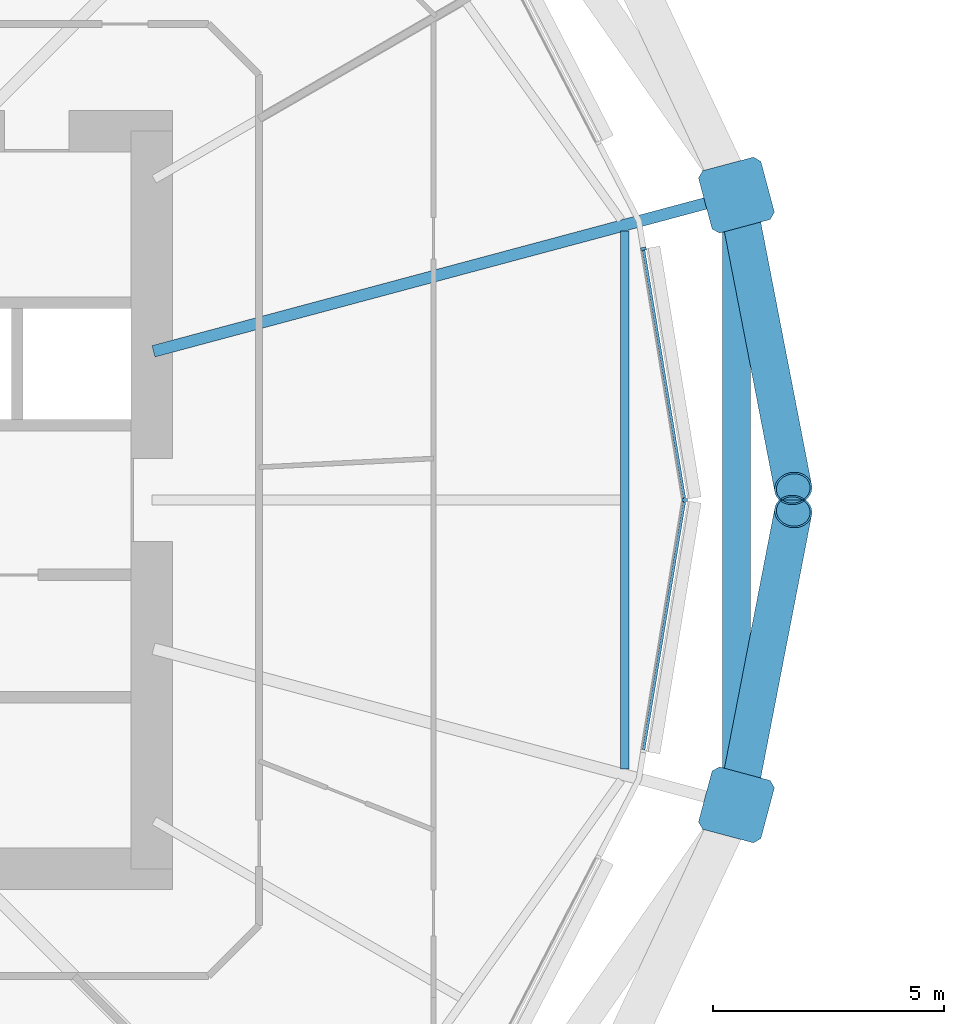
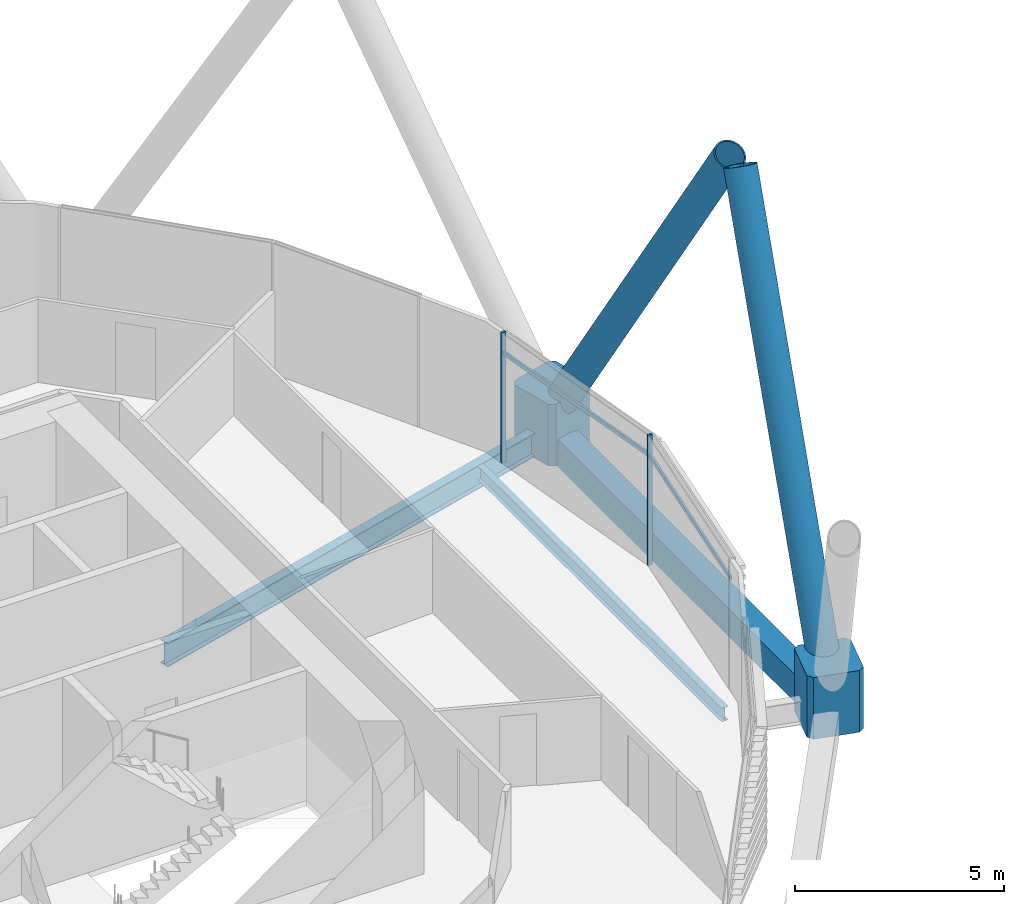
# One storey, part 7 of 36: 8 members, 3 beams, 1 element without a shape of its own.
"""IFC4 building model written with IfcOpenShell, lengths in metres."""

import ifcopenshell
import ifcopenshell.guid

model = None  # the IFC model being written
_history = None  # IfcOwnerHistory: only IFC2X3 demands one
_inside = {}  # id of a spatial element -> (the spatial element, [elements in it])
_under = {}  # id of a project, library or spatial element -> (it, [spatial elements below it])
_declared = {}  # id of a project -> (the project, [libraries it declares])
_typed = {}  # id of a type object -> (the type object, [elements of that type])
_made_of = {}  # id of a material, layer set ... -> (it, [elements and type objects made of it])


def new_model(schema):
    """Start an empty IFC model of exactly this schema.

    Asked for "IFC4X3", IfcOpenShell would pick the latest addendum, in which some entities
    have other attributes; the version numbers below select the first issue.
    IFC2X3 requires an IfcOwnerHistory on every rooted entity: one is made here for all.
    """
    global model, _history
    if schema == "IFC4X3":
        model = ifcopenshell.file(schema_version=(4, 3, 0, 0))
    else:
        model = ifcopenshell.file(schema=schema)
    _inside.clear()
    _under.clear()
    _declared.clear()
    _typed.clear()
    _made_of.clear()
    _history = None
    if model.schema == "IFC2X3":
        org = make("IfcOrganization", Name="unknown")
        user = make(
            "IfcPersonAndOrganization",
            ThePerson=make("IfcPerson", FamilyName="unknown"),
            TheOrganization=org,
        )
        app = make(
            "IfcApplication",
            ApplicationDeveloper=org,
            Version="unknown",
            ApplicationFullName="unknown",
            ApplicationIdentifier="unknown",
        )
        _history = make(
            "IfcOwnerHistory",
            OwningUser=user,
            OwningApplication=app,
            ChangeAction="ADDED",
            CreationDate=0,
        )
    return model


def make(cls, **values):
    """One entity of the class cls with the attributes given. An attribute that is None is left unset."""
    return model.create_entity(
        cls, **{name: value for name, value in values.items() if value is not None}
    )


def rooted(cls, **values):
    """An entity with a GlobalId (a new one), such as an element, a storey or a relation."""
    return make(cls, GlobalId=ifcopenshell.guid.new(), OwnerHistory=_history, **values)


def si_unit(unit_type, name, prefix=None):
    """IfcSIUnit, for example si_unit("LENGTHUNIT", "METRE", prefix="MILLI")."""
    return make("IfcSIUnit", UnitType=unit_type, Prefix=prefix, Name=name)


def assignment(units):
    """IfcUnitAssignment: the units of a project."""
    return None if units is None else make("IfcUnitAssignment", Units=units)


def point(xyz):
    """IfcCartesianPoint."""
    return None if xyz is None else make("IfcCartesianPoint", Coordinates=xyz)


def direction(xyz):
    """IfcDirection."""
    return None if xyz is None else make("IfcDirection", DirectionRatios=xyz)


def frame(location, z_axis=None, x_axis=None):
    """IfcAxis2Placement3D, a coordinate frame: its origin and axes. An axis left out is left unset."""
    return make(
        "IfcAxis2Placement3D",
        Location=point(location),
        Axis=direction(z_axis),
        RefDirection=direction(x_axis),
    )


def frame_2d(location, x_axis=None):
    """IfcAxis2Placement2D, a coordinate frame in the plane: its origin and x axis."""
    return make(
        "IfcAxis2Placement2D", Location=point(location), RefDirection=direction(x_axis)
    )


def origin():
    """The frame at (0, 0, 0) with its axes left unset."""
    return frame((0.0, 0.0, 0.0))


def origin_2d():
    """The frame at (0, 0) in the plane with its x axis left unset."""
    return frame_2d((0.0, 0.0))


def place(relative_to, where):
    """IfcLocalPlacement: puts the frame where relative to a parent placement (None: the world)."""
    return make(
        "IfcLocalPlacement", PlacementRelTo=relative_to, RelativePlacement=where
    )


def context(
    kind, dimensions, precision=None, world=None, true_north=None, identifier=None
):
    """IfcGeometricRepresentationContext, for example the 3D "Model" context."""
    return make(
        "IfcGeometricRepresentationContext",
        ContextIdentifier=identifier,
        ContextType=kind,
        CoordinateSpaceDimension=dimensions,
        Precision=precision,
        WorldCoordinateSystem=world,
        TrueNorth=true_north,
    )


def subcontext(parent, identifier, kind, view, scale=None):
    """IfcGeometricRepresentationSubContext, for example "Body" below "Model"."""
    return make(
        "IfcGeometricRepresentationSubContext",
        ContextIdentifier=identifier,
        ContextType=kind,
        ParentContext=parent,
        TargetScale=scale,
        TargetView=view,
    )


def project(units=None, contexts=None):
    """IfcProject with its units and contexts."""
    return rooted(
        "IfcProject",
        Name="project",
        RepresentationContexts=contexts,
        UnitsInContext=assignment(units),
    )


def spatial(cls, under=None, at=None, **own):
    """A site, building, storey or space (cls), placed at a placement, below another one or the project."""
    s = rooted(cls, ObjectPlacement=at, **own)
    if under is not None:
        _under.setdefault(under.id(), (under, []))[1].append(s)
    return s


def polyline(points):
    """IfcPolyline through the points."""
    return make("IfcPolyline", Points=[point(p) for p in points])


def profile(cls, at=None, kind="AREA", **sizes):
    """A parametric profile (cls). Its sizes go by their IFC names, for example OverallWidth=200.0."""
    return make(cls, ProfileType=kind, Position=at, **sizes)


def rectangle(**sizes):
    """IfcRectangleProfileDef."""
    return profile("IfcRectangleProfileDef", **sizes)


def hollow_rectangle(**sizes):
    """IfcRectangleHollowProfileDef."""
    return profile("IfcRectangleHollowProfileDef", **sizes)


def hollow_circle(**sizes):
    """IfcCircleHollowProfileDef."""
    return profile("IfcCircleHollowProfileDef", **sizes)


def i_section(**sizes):
    """IfcIShapeProfileDef."""
    return profile("IfcIShapeProfileDef", **sizes)


def outline(outer, holes=None, kind="AREA"):
    """IfcArbitraryClosedProfileDef: a profile drawn as a closed curve; with holes, ...WithVoids."""
    if holes is None:
        return make("IfcArbitraryClosedProfileDef", ProfileType=kind, OuterCurve=outer)
    return make(
        "IfcArbitraryProfileDefWithVoids",
        ProfileType=kind,
        OuterCurve=outer,
        InnerCurves=holes,
    )


def extrude(swept, where, along, depth):
    """IfcExtrudedAreaSolid: the profile swept, set in the frame where, extruded along a direction by depth."""
    return make(
        "IfcExtrudedAreaSolid",
        SweptArea=swept,
        Position=where,
        ExtrudedDirection=direction(along),
        Depth=depth,
    )


def shape(context_of_items, identifier, shape_type, items):
    """IfcShapeRepresentation: the items that make up one representation, for example the "Body"."""
    return make(
        "IfcShapeRepresentation",
        ContextOfItems=context_of_items,
        RepresentationIdentifier=identifier,
        RepresentationType=shape_type,
        Items=items,
    )


def material(Name=None, Category=None):
    """IfcMaterial."""
    return make("IfcMaterial", Name=Name, Category=Category)


def material_profile(
    of_material, cross_section, Name=None, Category=None, Priority=None
):
    """IfcMaterialProfile: a cross section and its material."""
    return make(
        "IfcMaterialProfile",
        Name=Name,
        Material=of_material,
        Profile=cross_section,
        Priority=Priority,
        Category=Category,
    )


def profile_set(profiles, Name=None, composite=None):
    """IfcMaterialProfileSet."""
    return make(
        "IfcMaterialProfileSet",
        Name=Name,
        MaterialProfiles=profiles,
        CompositeProfile=composite,
    )


def made_of(thing, what):
    """Note that an element or type object is made of a material, layer set ...; save() writes the relation."""
    if what is not None:
        _made_of.setdefault(what.id(), (what, []))[1].append(thing)
    return thing


def type_object(cls, material=None, **own):
    """A type object (cls), such as IfcWallType, which elements share."""
    return made_of(rooted(cls, **own), material)


def element(
    cls,
    number,
    at=None,
    inside=None,
    cuts=None,
    type_object=None,
    material=None,
    context=None,
    identifier="Body",
    shape_type=None,
    held_by="IfcProductDefinitionShape",
    body=None,
    shapes=None,
    **own,
):
    """One element of the class cls, such as IfcWall. Its Tag is "e" and its number.

    at: its placement. inside: the storey or other place that contains it. cuts: it is an
    opening in that element (IfcRelVoidsElement). A single representation is given by context,
    identifier, shape_type and body (its items); several are given by shapes. held_by: the class
    of the entity that holds the representations. save() writes the other relations.
    """
    e = rooted(cls, Tag="e%d" % number, ObjectPlacement=at, **own)
    if body is not None:
        shapes = [shape(context, identifier, shape_type, body)]
    if shapes is not None:
        e.Representation = make(held_by, Representations=shapes)
    if inside is not None:
        _inside.setdefault(inside.id(), (inside, []))[1].append(e)
    if cuts is not None:
        rooted(
            "IfcRelVoidsElement", RelatingBuildingElement=cuts, RelatedOpeningElement=e
        )
    if type_object is not None:
        _typed.setdefault(type_object.id(), (type_object, []))[1].append(e)
    return made_of(e, material)


def aggregate(whole, parts):
    """IfcRelAggregates: a whole, such as a stair, and the parts it consists of."""
    return rooted("IfcRelAggregates", RelatingObject=whole, RelatedObjects=parts)


def save(model, path):
    """Write the relations noted so far, then the file.

    IfcRelAggregates (storeys below a building ...), IfcRelContainedInSpatialStructure (elements
    in a storey), IfcRelDefinesByType, IfcRelAssociatesMaterial and IfcRelDeclares: one each for
    every whole, place, type object, material and project.
    """
    for whole, parts in _under.values():
        aggregate(whole, parts)
    for where, things in _inside.values():
        rooted(
            "IfcRelContainedInSpatialStructure",
            RelatedElements=things,
            RelatingStructure=where,
        )
    for kind, things in _typed.values():
        rooted("IfcRelDefinesByType", RelatedObjects=things, RelatingType=kind)
    for what, things in _made_of.values():
        rooted("IfcRelAssociatesMaterial", RelatedObjects=things, RelatingMaterial=what)
    for by, libraries in _declared.values():
        rooted("IfcRelDeclares", RelatingContext=by, RelatedDefinitions=libraries)
    model.write(path)


model = new_model("IFC4")

# Units and contexts
model_context = context("Model", 3, precision=1e-05, world=origin(), true_north=direction((0.0, 1.0)))
body_context = subcontext(model_context, "Body", "Model", "MODEL_VIEW")
ifc_project = project(units=[si_unit("LENGTHUNIT", "METRE"), si_unit("AREAUNIT", "SQUARE_METRE"), si_unit("VOLUMEUNIT", "CUBIC_METRE"), si_unit("PLANEANGLEUNIT", "RADIAN"), si_unit("MASSUNIT", "GRAM", prefix="KILO")], contexts=[model_context])

# Site, building, storey
site_placement = place(None, origin())
site = spatial("IfcSite", under=ifc_project, at=site_placement, CompositionType="ELEMENT")
building_placement = place(site_placement, origin())
building = spatial("IfcBuilding", under=site, at=building_placement, Name="Rimbun Link Towers", CompositionType="ELEMENT")
storey_placement = place(building_placement, frame((0.0, 0.0, 64.199951171875)))
storey = spatial("IfcBuildingStorey", under=building, at=storey_placement, Name="L15", CompositionType="ELEMENT", Elevation=64.199951171875)

# Curtain wall, members
ifc_material_1 = material(Name="Aluminium 6063-T6 and low-iron glass", Category="aluminium")
curtain_wall_type = type_object("IfcCurtainWallType", Name="CW1 unitised vision wall", PredefinedType="NOTDEFINED", material=ifc_material_1)
curtain_wall_placement = place(storey_placement, origin())
curtain_wall = element("IfcCurtainWall", 1, at=curtain_wall_placement, inside=storey, type_object=curtain_wall_type, Name="CW1 L15 T1", PredefinedType="NOTDEFINED")
ifc_material_2 = material(Name="Aluminium 6063-T6", Category="aluminium")
ifc_material_profile_1 = material_profile(ifc_material_2, rectangle(XDim=0.1201171875, YDim=0.06005859375, at=origin_2d()), Name="MULLION 60X120")
ifc_profile_set_1 = profile_set([ifc_material_profile_1], Name="Aluminium 6063-T6")
member_type_1 = type_object("IfcMemberType", Name="CW1 mullion 60X120", PredefinedType="MULLION", material=ifc_profile_set_1)
member_1_placement = place(storey_placement, frame((-9.090576171875, 5.447265625, 0.0), z_axis=(0.0, 0.0, 1.0), x_axis=(0.986748097792, 0.162259642251, 0.0)))
member_1 = element("IfcMember", 2, at=member_1_placement, type_object=member_type_1, Name="CW1 mullion", PredefinedType="MULLION", context=body_context, shape_type="SweptSolid", body=[
    extrude(rectangle(XDim=0.1201171875, YDim=0.06005859375, at=origin_2d()), origin(), (0.0, 0.0, 1.0), 3.800048828125),
])
member_2_placement = place(storey_placement, frame((-8.19580078125, 0.0, 0.0), z_axis=(0.0, 0.0, 1.0), x_axis=(1.0, 0.0, 0.0)))
member_2 = element("IfcMember", 3, at=member_2_placement, type_object=member_type_1, Name="CW1 mullion", PredefinedType="MULLION", context=body_context, shape_type="SweptSolid", body=[
    extrude(rectangle(XDim=0.1201171875, YDim=0.06005859375, at=origin_2d()), origin(), (0.0, 0.0, 1.0), 3.800048828125),
])
ifc_material_3 = material(Name="Aluminium 6063-T6", Category="aluminium")
ifc_material_profile_2 = material_profile(ifc_material_3, rectangle(XDim=0.06005859375, YDim=0.1201171875, at=origin_2d()), Name="TRANSOM 60X120")
ifc_profile_set_2 = profile_set([ifc_material_profile_2], Name="Aluminium 6063-T6")
member_type_2 = type_object("IfcMemberType", Name="CW1 transom 60X120", PredefinedType="USERDEFINED", material=ifc_profile_set_2)
member_3_placement = place(storey_placement, frame((-9.087646484375, 5.41748046875, 3.199951171875), z_axis=(0.162234082271, -0.986752300504, 0.0), x_axis=(0.986752300504, 0.162234082271, 0.0)))
member_3 = element("IfcMember", 4, at=member_3_placement, type_object=member_type_2, Name="CW1 transom", ObjectType="TRANSOM", PredefinedType="USERDEFINED", context=body_context, shape_type="SweptSolid", body=[
    extrude(rectangle(XDim=0.06005859375, YDim=0.1201171875, at=origin_2d()), origin(), (0.0, 0.0, 1.0), 5.45068359375),
])
member_4_placement = place(storey_placement, frame((-8.203369140625, -0.0390625, 3.199951171875), z_axis=(-0.162234082271, -0.986752300504, 0.0), x_axis=(0.986752300504, -0.162234082271, 0.0)))
member_4 = element("IfcMember", 5, at=member_4_placement, type_object=member_type_2, Name="CW1 transom", ObjectType="TRANSOM", PredefinedType="USERDEFINED", context=body_context, shape_type="SweptSolid", body=[
    extrude(rectangle(XDim=0.06005859375, YDim=0.1201171875, at=origin_2d()), origin(), (0.0, 0.0, 1.0), 5.45068359375),
])
aggregate(curtain_wall, [member_1, member_2, member_3, member_4])

# Members
ifc_material_4 = material(Name="Steel S460NH", Category="steel")
ifc_material_profile_3 = material_profile(ifc_material_4, hollow_circle(Radius=0.406494140625, WallThickness=0.0400390625, at=origin_2d()), Name="Diagrid diagonal CHS 813x40")
ifc_profile_set_3 = profile_set([ifc_material_profile_3], Name="Steel S460NH")
member_type_3 = type_object("IfcMemberType", Name="Diagrid diagonal CHS 813x40", PredefinedType="BRACE", material=ifc_profile_set_3)
for number, where, z_axis, x_axis, name in (
    (6, (-7.025634765625, 6.3623046875, 0.4306640625), (0.096674804489, -0.499370142354, 0.860978189679), (0.98177159019, 0.190064580327, 0.0), "Diagrid diagonal T1 L15-L18 01a"),
    (7, (-7.025634765625, -6.3623046875, 0.4306640625), (0.096674804489, 0.499370142354, 0.860978189679), (-0.98177159019, 0.190064580327, 0.0), "Diagrid diagonal T1 L15-L18 23b"),
):
    element("IfcMember", number, at=place(storey_placement, frame(where, z_axis=z_axis, x_axis=x_axis)), inside=storey, type_object=member_type_3, Name=name, PredefinedType="BRACE", context=body_context, shape_type="SweptSolid", body=[
        extrude(hollow_circle(Radius=0.406494140625, WallThickness=0.0400390625, at=origin_2d()), origin(), (0.0, 0.0, 1.0), 12.240478515625),
    ])
ifc_material_5 = material(Name="Cast steel G20Mn5+QT, Rp0.2 300 MPa", Category="steel")
ifc_material_profile_4 = material_profile(ifc_material_5, outline(polyline([(0.699951171875, -0.570068359375), (0.699951171875, 0.570068359375), (0.570068359375, 0.699951171875), (-0.570068359375, 0.699951171875), (-0.699951171875, 0.570068359375), (-0.699951171875, -0.570068359375), (-0.570068359375, -0.699951171875), (0.570068359375, -0.699951171875), (0.699951171875, -0.570068359375)])), Name="NODE 1400x1400")
ifc_profile_set_4 = profile_set([ifc_material_profile_4], Name="Cast steel G20Mn5+QT, Rp0.2 300 MPa")
member_type_4 = type_object("IfcMemberType", Name="Diagrid node cast 1400", PredefinedType="USERDEFINED", material=ifc_profile_set_4)
for number, where, z_axis, x_axis, name in (
    (8, (-7.073974609375, 6.61181640625, -0.89990234375), (0.0, 0.0, 1.0), (0.965925826289, 0.258819045103, 0.0), "Diagrid node L15 01"),
    (9, (-7.073974609375, -6.61181640625, -0.89990234375), (0.0, 0.0, 1.0), (0.965925826289, -0.258819045103, 0.0), "Diagrid node L15 23"),
):
    element("IfcMember", number, at=place(storey_placement, frame(where, z_axis=z_axis, x_axis=x_axis)), inside=storey, type_object=member_type_4, Name=name, ObjectType="Diagrid node", PredefinedType="USERDEFINED", context=body_context, shape_type="SweptSolid", body=[
        extrude(outline(polyline([(0.699951171875, -0.570068359375), (0.699951171875, 0.570068359375), (0.570068359375, 0.699951171875), (-0.570068359375, 0.699951171875), (-0.699951171875, 0.570068359375), (-0.699951171875, -0.570068359375), (-0.570068359375, -0.699951171875), (0.570068359375, -0.699951171875), (0.699951171875, -0.570068359375)])), origin(), (0.0, 0.0, 1.0), 1.800048828125),
    ])

# Beams
ifc_material_6 = material(Name="Steel S355J2", Category="steel")
ifc_material_profile_5 = material_profile(ifc_material_6, hollow_rectangle(XDim=0.60009765625, YDim=0.800048828125, WallThickness=0.0400390625, at=origin_2d()), Name="Exoskeleton ring girder BOX 600x800x40")
ifc_profile_set_5 = profile_set([ifc_material_profile_5], Name="Steel S355J2")
beam_type_1 = type_object("IfcBeamType", Name="Exoskeleton ring girder BOX 600x800x40", PredefinedType="BEAM", material=ifc_profile_set_5)
beam_1_placement = place(storey_placement, frame((-7.073974609375, -5.911865234375, -0.56005859375), z_axis=(0.0, 1.0, 0.0), x_axis=(-1.0, 0.0, 0.0)))
element("IfcBeam", 10, at=beam_1_placement, inside=storey, type_object=beam_type_1, Name="Exoskeleton ring girder L15 09", PredefinedType="BEAM", context=body_context, shape_type="SweptSolid", body=[
    extrude(hollow_rectangle(XDim=0.60009765625, YDim=0.800048828125, WallThickness=0.0400390625, at=origin_2d()), origin(), (0.0, 0.0, 1.0), 11.82373046875),
])
ifc_material_7 = material(Name="Steel S355J2", Category="steel")
ifc_material_profile_6 = material_profile(ifc_material_7, i_section(OverallWidth=0.177978515625, OverallDepth=0.406494140625, WebThickness=0.0078125, FlangeThickness=0.0126953125, at=origin_2d()), Name="UB 406x178x60")
ifc_profile_set_6 = profile_set([ifc_material_profile_6], Name="Steel S355J2")
beam_type_2 = type_object("IfcBeamType", Name="UB 406x178x60", PredefinedType="BEAM", material=ifc_profile_set_6)
beam_2_placement = place(storey_placement, frame((-9.494384765625, -5.8310546875, -0.363037109375), z_axis=(0.0, 1.0, 0.0), x_axis=(-1.0, 0.0, 0.0)))
element("IfcBeam", 11, at=beam_2_placement, inside=storey, type_object=beam_type_2, Name="Edge beam T1 L15 23-01", PredefinedType="BEAM", context=body_context, shape_type="SweptSolid", body=[
    extrude(i_section(OverallWidth=0.177978515625, OverallDepth=0.406494140625, WebThickness=0.0078125, FlangeThickness=0.0126953125, at=origin_2d()), origin(), (0.0, 0.0, 1.0), 11.662109375),
])
ifc_material_8 = material(Name="Steel S355J2", Category="steel")
ifc_material_profile_7 = material_profile(ifc_material_8, i_section(OverallWidth=0.253662109375, OverallDepth=0.68359375, WebThickness=0.012451171875, FlangeThickness=0.01904296875, at=origin_2d()), Name="UB 686x254x140")
ifc_profile_set_7 = profile_set([ifc_material_profile_7], Name="Steel S355J2")
beam_type_3 = type_object("IfcBeamType", Name="UB 686x254x140", PredefinedType="BEAM", material=ifc_profile_set_7)
beam_3_placement = place(storey_placement, frame((-19.71630859375, 3.224365234375, -0.501708984375), z_axis=(0.965926842192, 0.25881525367, 0.0), x_axis=(-0.25881525367, 0.965926842192, 0.0)))
element("IfcBeam", 12, at=beam_3_placement, inside=storey, type_object=beam_type_3, Name="Radial beam T1 L15 01", PredefinedType="BEAM", context=body_context, shape_type="SweptSolid", body=[
    extrude(i_section(OverallWidth=0.253662109375, OverallDepth=0.68359375, WebThickness=0.012451171875, FlangeThickness=0.01904296875, at=origin_2d()), origin(), (0.0, 0.0, 1.0), 12.58837890625),
])

save(model, "model.ifc")
